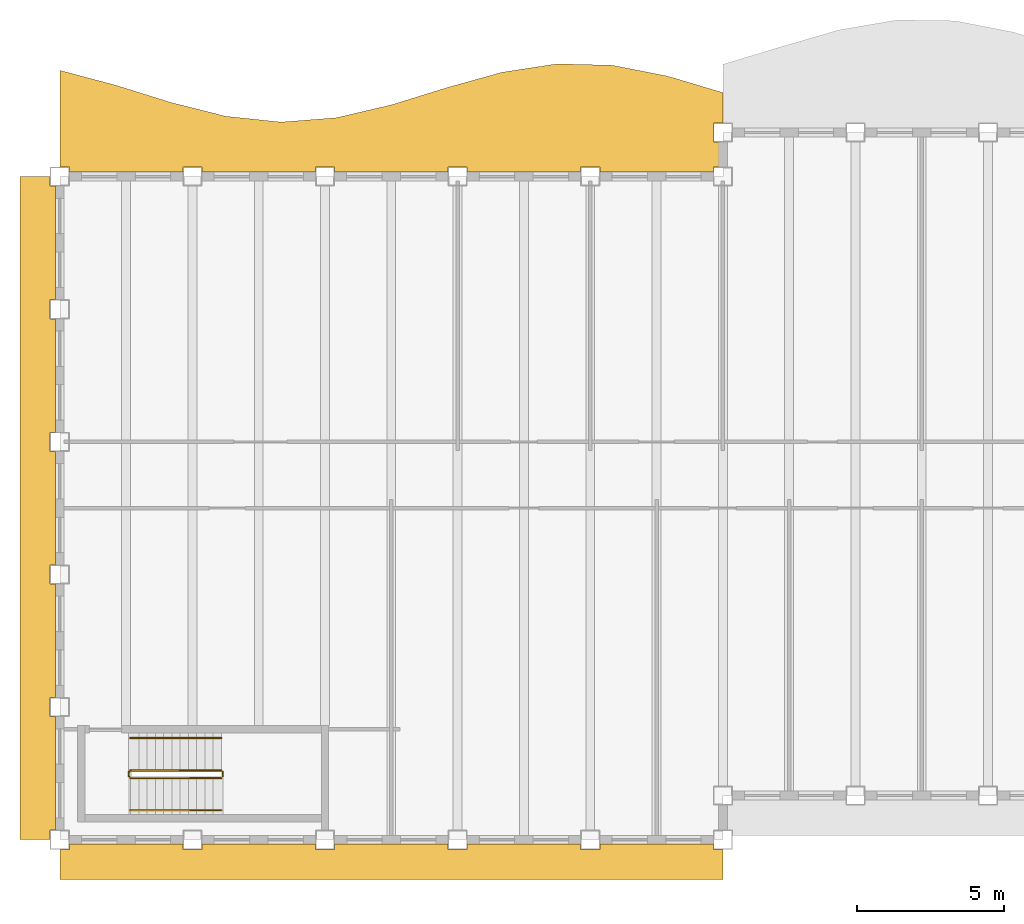
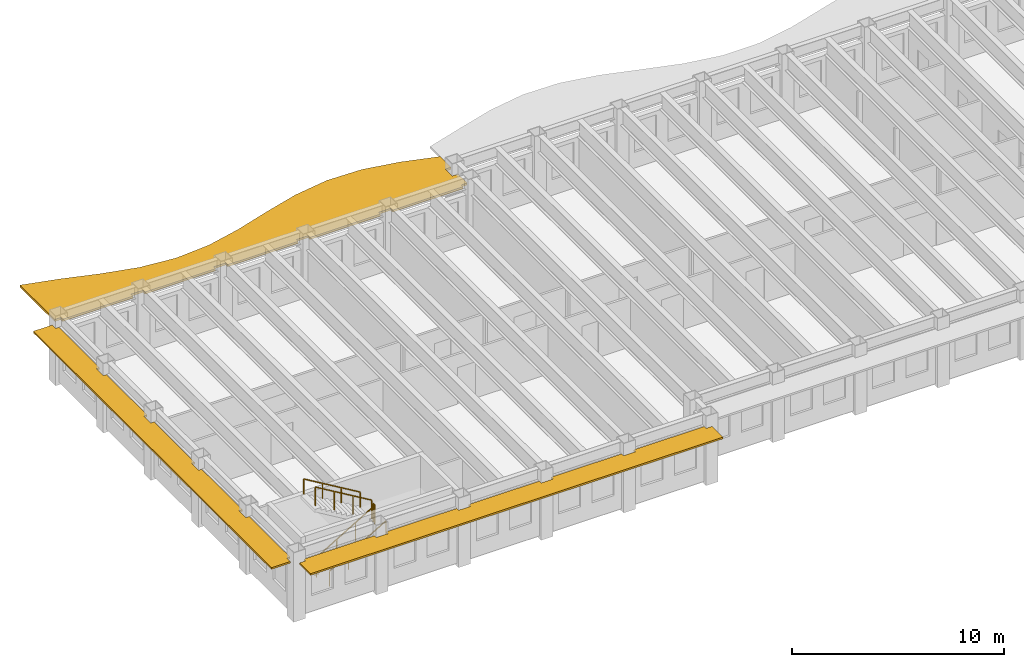
# One storey, part 8 of 12: 6 railings, 3 shading devices.
"""IFC4 building model written with IfcOpenShell, lengths in metres."""

from ifc_helpers import new_model, si_unit, direction, frame, origin, origin_2d, place, context, subcontext, project, spatial, polyline, rectangle, outline, extrude, material, layer, layer_set, type_object, element, save


model = new_model("IFC4")

# Units and contexts
model_context = context("Model", 3, precision=1e-05, world=origin(), true_north=direction((0.0, 1.0)))
body_context = subcontext(model_context, "Body", "Model", "MODEL_VIEW")
ifc_project = project(units=[si_unit("LENGTHUNIT", "METRE"), si_unit("AREAUNIT", "SQUARE_METRE"), si_unit("VOLUMEUNIT", "CUBIC_METRE"), si_unit("PLANEANGLEUNIT", "RADIAN"), si_unit("MASSUNIT", "GRAM", prefix="KILO")], contexts=[model_context])

# Site, building, storey
site_placement = place(None, origin())
site = spatial("IfcSite", under=ifc_project, at=site_placement, CompositionType="ELEMENT")
building_placement = place(site_placement, origin())
building = spatial("IfcBuilding", under=site, at=building_placement, Name="Sennacour Bend Tower", CompositionType="ELEMENT")
storey_placement = place(building_placement, frame((0.0, 0.0, 261.0)))
storey = spatial("IfcBuildingStorey", under=building, at=storey_placement, Name="L60", CompositionType="ELEMENT", Elevation=261.0)

# Railings
ifc_material_1 = material(Name="Stainless steel", Category="steel")
railing_type_1 = type_object("IfcRailingType", Name="RL-GUARD-1100", PredefinedType="GUARDRAIL", material=ifc_material_1)
railing_1_placement = place(storey_placement, frame((2.39990234375, 2.10009765625, 0.166748046875)))
element("IfcRailing", 1, at=railing_1_placement, inside=storey, type_object=railing_type_1, Name="L60 SK1 stair guard 1", PredefinedType="GUARDRAIL", context=body_context, shape_type="SweptSolid", body=[
    extrude(rectangle(XDim=0.048095703125, YDim=0.048095703125, at=origin_2d()), frame((0.0, 0.0, 1.076171875), z_axis=(0.859308565015, 0.0, 0.511457515432), x_axis=(0.0, 1.0, 0.0)), (0.0, 0.0, 1.0), 3.58447265625),
    extrude(rectangle(XDim=0.0419921875, YDim=0.0419921875, at=origin_2d()), origin(), (0.0, 0.0, 1.0), 1.052001953125),
    extrude(rectangle(XDim=0.0419921875, YDim=0.0419921875, at=origin_2d()), frame((1.026611328125, 0.0, 0.611083984375)), (0.0, 0.0, 1.0), 1.052001953125),
    extrude(rectangle(XDim=0.0419921875, YDim=0.0419921875, at=origin_2d()), frame((2.053466796875, 0.0, 1.22216796875)), (0.0, 0.0, 1.0), 1.052001953125),
    extrude(rectangle(XDim=0.0419921875, YDim=0.0419921875, at=origin_2d()), frame((3.080078125, 0.0, 1.833251953125)), (0.0, 0.0, 1.0), 1.052001953125),
])
railing_2_placement = place(storey_placement, frame((5.530029296875, 2.14990234375, 2.0)))
element("IfcRailing", 2, at=railing_2_placement, inside=storey, type_object=railing_type_1, Name="L60 SK1 stair guard 2", PredefinedType="GUARDRAIL", context=body_context, shape_type="SweptSolid", body=[
    extrude(rectangle(XDim=0.048095703125, YDim=0.048095703125, at=origin_2d()), frame((0.0, 0.0, 1.076171875), z_axis=(0.0, 1.0, 0.0), x_axis=(-1.0, 0.0, 0.0)), (0.0, 0.0, 1.0), 0.150146484375),
    extrude(rectangle(XDim=0.0419921875, YDim=0.0419921875, at=origin_2d()), origin(), (0.0, 0.0, 1.0), 1.052001953125),
    extrude(rectangle(XDim=0.0419921875, YDim=0.0419921875, at=origin_2d()), frame((0.0, 0.150146484375, 0.0)), (0.0, 0.0, 1.0), 1.052001953125),
])
railing_3_placement = place(storey_placement, frame((5.47998046875, 2.35009765625, 2.166748046875)))
element("IfcRailing", 3, at=railing_3_placement, inside=storey, type_object=railing_type_1, Name="L60 SK1 stair guard 3", PredefinedType="GUARDRAIL", context=body_context, shape_type="SweptSolid", body=[
    extrude(rectangle(XDim=0.048095703125, YDim=0.048095703125, at=origin_2d()), frame((0.0, 0.0, 1.076171875), z_axis=(-0.859308565015, 0.0, 0.511457515432), x_axis=(0.0, -1.0, 0.0)), (0.0, 0.0, 1.0), 3.58447265625),
    extrude(rectangle(XDim=0.0419921875, YDim=0.0419921875, at=origin_2d()), origin(), (0.0, 0.0, 1.0), 1.052001953125),
    extrude(rectangle(XDim=0.0419921875, YDim=0.0419921875, at=origin_2d()), frame((-1.026611328125, 0.0, 0.611083984375)), (0.0, 0.0, 1.0), 1.052001953125),
    extrude(rectangle(XDim=0.0419921875, YDim=0.0419921875, at=origin_2d()), frame((-2.053466796875, 0.0, 1.22216796875)), (0.0, 0.0, 1.0), 1.052001953125),
    extrude(rectangle(XDim=0.0419921875, YDim=0.0419921875, at=origin_2d()), frame((-3.080078125, 0.0, 1.833251953125)), (0.0, 0.0, 1.0), 1.052001953125),
])
railing_4_placement = place(storey_placement, frame((2.35009765625, 2.14990234375, 0.0)))
element("IfcRailing", 4, at=railing_4_placement, inside=storey, type_object=railing_type_1, Name="L60 SK1 stair guard 4", PredefinedType="GUARDRAIL", context=body_context, shape_type="SweptSolid", body=[
    extrude(rectangle(XDim=0.048095703125, YDim=0.048095703125, at=origin_2d()), frame((0.0, 0.0, 1.076171875), z_axis=(0.0, 1.0, 0.0), x_axis=(-1.0, 0.0, 0.0)), (0.0, 0.0, 1.0), 0.150146484375),
    extrude(rectangle(XDim=0.0419921875, YDim=0.0419921875, at=origin_2d()), origin(), (0.0, 0.0, 1.0), 1.052001953125),
    extrude(rectangle(XDim=0.0419921875, YDim=0.0419921875, at=origin_2d()), frame((0.0, 0.150146484375, 0.0)), (0.0, 0.0, 1.0), 1.052001953125),
])
railing_type_2 = type_object("IfcRailingType", Name="RL-HANDRAIL-900", PredefinedType="HANDRAIL", material=ifc_material_1)
railing_5_placement = place(storey_placement, frame((2.39990234375, 1.0, 0.166748046875)))
element("IfcRailing", 5, at=railing_5_placement, inside=storey, type_object=railing_type_2, Name="L60 SK1 stair handrail 1", PredefinedType="HANDRAIL", context=body_context, shape_type="SweptSolid", body=[
    extrude(rectangle(XDim=0.048095703125, YDim=0.048095703125, at=origin_2d()), frame((0.0, 0.0, 0.8759765625), z_axis=(0.859308565015, 0.0, 0.511457515432), x_axis=(0.0, 1.0, 0.0)), (0.0, 0.0, 1.0), 3.58447265625),
    extrude(rectangle(XDim=0.0419921875, YDim=0.0419921875, at=origin_2d()), origin(), (0.0, 0.0, 1.0), 0.851806640625),
    extrude(rectangle(XDim=0.0419921875, YDim=0.0419921875, at=origin_2d()), frame((1.026611328125, 0.0, 0.611083984375)), (0.0, 0.0, 1.0), 0.851806640625),
    extrude(rectangle(XDim=0.0419921875, YDim=0.0419921875, at=origin_2d()), frame((2.053466796875, 0.0, 1.22216796875)), (0.0, 0.0, 1.0), 0.851806640625),
    extrude(rectangle(XDim=0.0419921875, YDim=0.0419921875, at=origin_2d()), frame((3.080078125, 0.0, 1.833251953125)), (0.0, 0.0, 1.0), 0.851806640625),
])
railing_6_placement = place(storey_placement, frame((5.47998046875, 3.449951171875, 2.166748046875)))
element("IfcRailing", 6, at=railing_6_placement, inside=storey, type_object=railing_type_2, Name="L60 SK1 stair handrail 2", PredefinedType="HANDRAIL", context=body_context, shape_type="SweptSolid", body=[
    extrude(rectangle(XDim=0.048095703125, YDim=0.048095703125, at=origin_2d()), frame((0.0, 0.0, 0.8759765625), z_axis=(-0.859308565015, 0.0, 0.511457515432), x_axis=(0.0, -1.0, 0.0)), (0.0, 0.0, 1.0), 3.58447265625),
    extrude(rectangle(XDim=0.0419921875, YDim=0.0419921875, at=origin_2d()), origin(), (0.0, 0.0, 1.0), 0.851806640625),
    extrude(rectangle(XDim=0.0419921875, YDim=0.0419921875, at=origin_2d()), frame((-1.026611328125, 0.0, 0.611083984375)), (0.0, 0.0, 1.0), 0.851806640625),
    extrude(rectangle(XDim=0.0419921875, YDim=0.0419921875, at=origin_2d()), frame((-2.053466796875, 0.0, 1.22216796875)), (0.0, 0.0, 1.0), 0.851806640625),
    extrude(rectangle(XDim=0.0419921875, YDim=0.0419921875, at=origin_2d()), frame((-3.080078125, 0.0, 1.833251953125)), (0.0, 0.0, 1.0), 0.851806640625),
])

# Shading devices
ifc_material_2 = material(Name="Bronze anodised aluminium", Category="aluminium")
ifc_layer_1 = layer(ifc_material_2, 0.10009765625, Name="Bronze anodised aluminium", Category="aluminium")
ifc_layer_set_1 = layer_set([ifc_layer_1], Name="Bronze anodised aluminium")
shading_device_type_1 = type_object("IfcShadingDeviceType", Name="SUNSHADE BAND STRAIGHT", PredefinedType="USERDEFINED", material=ifc_layer_set_1)
shading_device_1_placement = place(storey_placement, frame((0.0, 0.0, 3.06201171875)))
element("IfcShadingDevice", 7, at=shading_device_1_placement, inside=storey, type_object=shading_device_type_1, Name="Sunshade band L60 K outer face", ObjectType="SUNSHADE", PredefinedType="USERDEFINED", context=body_context, shape_type="SweptSolid", body=[
    extrude(outline(polyline([(-0.14990234375, 18.324951171875), (-0.324951171875, 18.324951171875), (-0.324951171875, 17.675048828125), (-0.14990234375, 17.675048828125), (-0.14990234375, 13.824951171875), (-0.324951171875, 13.824951171875), (-0.324951171875, 13.175048828125), (-0.14990234375, 13.175048828125), (-0.14990234375, 9.324951171875), (-0.324951171875, 9.324951171875), (-0.324951171875, 8.675048828125), (-0.14990234375, 8.675048828125), (-0.14990234375, 4.824951171875), (-0.324951171875, 4.824951171875), (-0.324951171875, 4.175048828125), (-0.14990234375, 4.175048828125), (-0.14990234375, 0.324951171875), (-0.324951171875, 0.324951171875), (-0.324951171875, 0.0), (-1.35009765625, 0.0), (-1.35009765625, 22.5), (-0.324951171875, 22.5), (-0.324951171875, 22.175048828125), (-0.14990234375, 22.175048828125), (-0.14990234375, 18.324951171875)])), origin(), (0.0, 0.0, 1.0), 0.10009765625),
])
shading_device_2_placement = place(storey_placement, frame((0.0, 0.0, 3.06201171875)))
element("IfcShadingDevice", 8, at=shading_device_2_placement, inside=storey, type_object=shading_device_type_1, Name="Sunshade band L60 K outer face", ObjectType="SUNSHADE", PredefinedType="USERDEFINED", context=body_context, shape_type="SweptSolid", body=[
    extrude(outline(polyline([(4.175048828125, -0.14990234375), (4.175048828125, -0.324951171875), (4.824951171875, -0.324951171875), (4.824951171875, -0.14990234375), (8.675048828125, -0.14990234375), (8.675048828125, -0.324951171875), (9.324951171875, -0.324951171875), (9.324951171875, -0.14990234375), (13.175048828125, -0.14990234375), (13.175048828125, -0.324951171875), (13.824951171875, -0.324951171875), (13.824951171875, -0.14990234375), (17.675048828125, -0.14990234375), (17.675048828125, -0.324951171875), (18.324951171875, -0.324951171875), (18.324951171875, -0.14990234375), (22.175048828125, -0.14990234375), (22.175048828125, -0.324951171875), (22.5, -0.324951171875), (22.5, -1.35009765625), (0.0, -1.35009765625), (0.0, -0.324951171875), (0.324951171875, -0.324951171875), (0.324951171875, -0.14990234375), (4.175048828125, -0.14990234375)])), origin(), (0.0, 0.0, 1.0), 0.10009765625),
])
ifc_layer_2 = layer(ifc_material_2, 0.1201171875, Name="Bronze anodised aluminium", Category="aluminium")
ifc_layer_set_2 = layer_set([ifc_layer_2], Name="Bronze anodised aluminium")
shading_device_type_2 = type_object("IfcShadingDeviceType", Name="SUNSHADE BAND WAVE", PredefinedType="USERDEFINED", material=ifc_layer_set_2)
shading_device_3_placement = place(storey_placement, frame((0.0, 0.0, 3.0419921875)))
element("IfcShadingDevice", 9, at=shading_device_3_placement, inside=storey, type_object=shading_device_type_2, Name="Sunshade band L60 concave faces", ObjectType="SUNSHADE", PredefinedType="USERDEFINED", context=body_context, shape_type="SweptSolid", body=[
    extrude(outline(polyline([(22.175048828125, 22.64990234375), (18.324951171875, 22.64990234375), (18.324951171875, 22.824951171875), (17.675048828125, 22.824951171875), (17.675048828125, 22.64990234375), (13.824951171875, 22.64990234375), (13.824951171875, 22.824951171875), (13.175048828125, 22.824951171875), (13.175048828125, 22.64990234375), (9.324951171875, 22.64990234375), (9.324951171875, 22.824951171875), (8.675048828125, 22.824951171875), (8.675048828125, 22.64990234375), (4.824951171875, 22.64990234375), (4.824951171875, 22.824951171875), (4.175048828125, 22.824951171875), (4.175048828125, 22.64990234375), (0.324951171875, 22.64990234375), (0.324951171875, 22.824951171875), (0.0, 22.824951171875), (0.0, 26.105712890625), (1.875, 25.60888671875), (3.75, 25.02294921875), (5.625, 24.549560546875), (7.5, 24.35107421875), (9.375, 24.49609375), (11.25, 24.9345703125), (13.125, 25.515869140625), (15.0, 26.0400390625), (16.875, 26.3271484375), (18.75, 26.2783203125), (20.625, 25.910400390625), (22.5, 25.35009765625), (22.5, 24.324951171875), (22.175048828125, 24.324951171875), (22.175048828125, 23.675048828125), (22.5, 23.675048828125), (22.5, 22.824951171875), (22.175048828125, 22.824951171875), (22.175048828125, 22.64990234375)])), origin(), (0.0, 0.0, 1.0), 0.1201171875),
])

save(model, "model.ifc")
